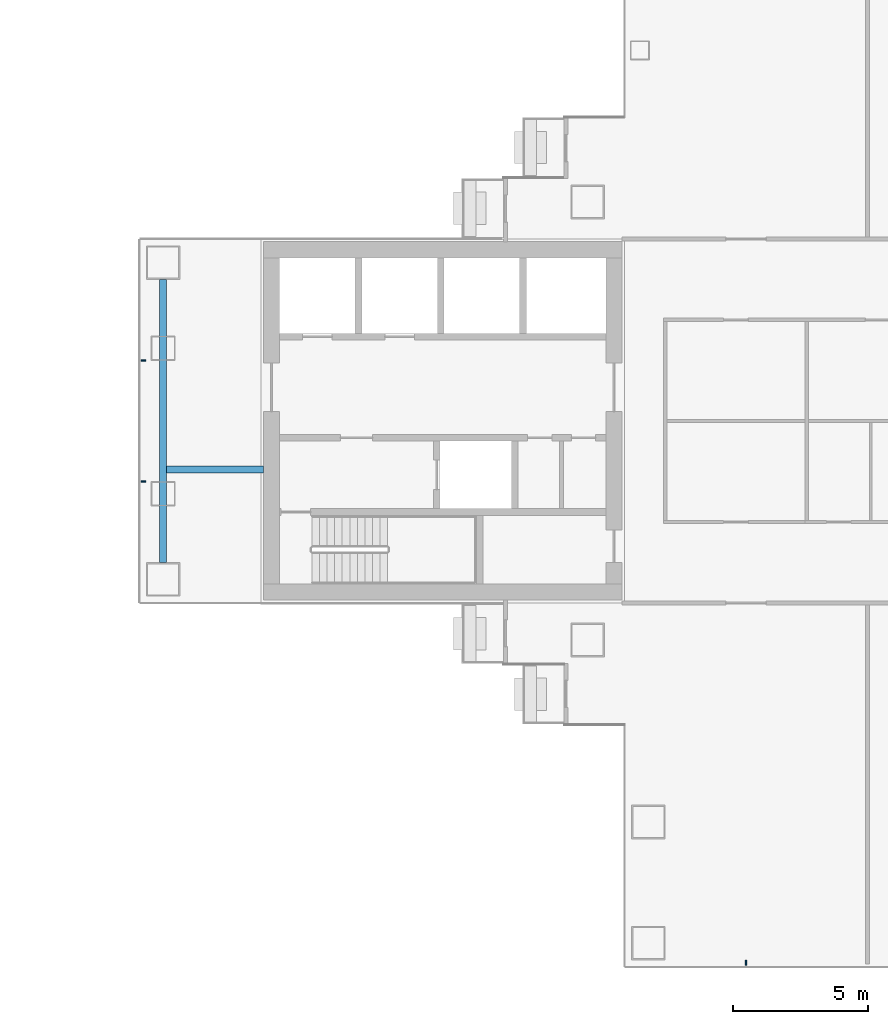
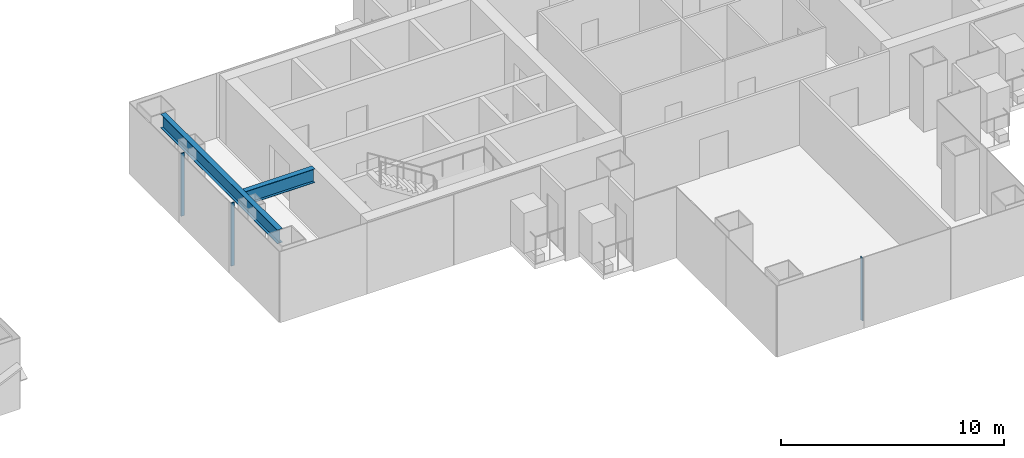
# One storey, part 5 of 19: 3 members, 2 beams, 2 elements without a shape of their own.
"""IFC4 building model written with IfcOpenShell, lengths in metres."""

from ifc_helpers import new_model, si_unit, direction, frame, origin, origin_2d, place, context, subcontext, project, spatial, rectangle, i_section, extrude, material, layer, layer_set, material_profile, profile_set, type_object, element, aggregate, save


model = new_model("IFC4")

# Units and contexts
model_context = context("Model", 3, precision=1e-05, world=origin(), true_north=direction((0.0, 1.0)))
body_context = subcontext(model_context, "Body", "Model", "MODEL_VIEW")
ifc_project = project(units=[si_unit("LENGTHUNIT", "METRE"), si_unit("AREAUNIT", "SQUARE_METRE"), si_unit("VOLUMEUNIT", "CUBIC_METRE"), si_unit("PLANEANGLEUNIT", "RADIAN"), si_unit("MASSUNIT", "GRAM", prefix="KILO")], contexts=[model_context])

# Site, building, storey
site_placement = place(None, origin())
site = spatial("IfcSite", under=ifc_project, at=site_placement, CompositionType="ELEMENT")
building_placement = place(site_placement, origin())
building = spatial("IfcBuilding", under=site, at=building_placement, Name="Shamsa Quay Exchange Towers", CompositionType="ELEMENT")
storey_placement = place(building_placement, frame((0.0, 0.0, 97.5)))
storey = spatial("IfcBuildingStorey", under=building, at=storey_placement, Name="L22", CompositionType="ELEMENT", Elevation=97.5)

# Curtain wall, members
ifc_material_1 = material(Name="Aluminium EN AW-6063 T6, black anodised", Category="aluminium")
ifc_layer = layer(ifc_material_1, 0.280029296875)
ifc_layer_set = layer_set([ifc_layer], Name="CW-1 UNITISED VISION GLASS")
curtain_wall_type = type_object("IfcCurtainWallType", Name="CW-1 UNITISED VISION GLASS", PredefinedType="NOTDEFINED", material=ifc_layer_set)
curtain_wall_1_placement = place(storey_placement, origin())
curtain_wall_1 = element("IfcCurtainWall", 1, at=curtain_wall_1_placement, inside=storey, type_object=curtain_wall_type, Name="CW1 T2-END-V+ L22", PredefinedType="NOTDEFINED")
ifc_material_profile_1 = material_profile(ifc_material_1, rectangle(XDim=0.179931640625, YDim=0.06005859375, at=origin_2d()), Name="MU60x180")
ifc_profile_set_1 = profile_set([ifc_material_profile_1], Name="Aluminium EN AW-6063 T6, black anodised")
member_type = type_object("IfcMemberType", Name="CW1 MULLION 60x180", PredefinedType="MULLION", material=ifc_profile_set_1)
member_1_placement = place(storey_placement, frame((9.14990234375, 2.25, 0.0)))
member_1 = element("IfcMember", 2, at=member_1_placement, type_object=member_type, Name="CW1 mullion", PredefinedType="MULLION", context=body_context, shape_type="SweptSolid", body=[
    extrude(rectangle(XDim=0.179931640625, YDim=0.06005859375, at=origin_2d()), origin(), (0.0, 0.0, 1.0), 3.449951171875),
])
member_2_placement = place(storey_placement, frame((9.14990234375, -2.25, 0.0)))
member_2 = element("IfcMember", 3, at=member_2_placement, type_object=member_type, Name="CW1 mullion", PredefinedType="MULLION", context=body_context, shape_type="SweptSolid", body=[
    extrude(rectangle(XDim=0.179931640625, YDim=0.06005859375, at=origin_2d()), origin(), (0.0, 0.0, 1.0), 3.449951171875),
])
aggregate(curtain_wall_1, [member_1, member_2])

# Curtain wall, member
curtain_wall_2_placement = place(storey_placement, origin())
curtain_wall_2 = element("IfcCurtainWall", 4, at=curtain_wall_2_placement, inside=storey, type_object=curtain_wall_type, Name="CW1 T2-END-U- L22", PredefinedType="NOTDEFINED")
member_3_placement = place(storey_placement, frame((31.5, -20.10009765625, 0.0), z_axis=(0.0, 0.0, 1.0), x_axis=(0.0, 1.0, 0.0)))
member_3 = element("IfcMember", 5, at=member_3_placement, type_object=member_type, Name="CW1 mullion", PredefinedType="MULLION", context=body_context, shape_type="SweptSolid", body=[
    extrude(rectangle(XDim=0.179931640625, YDim=0.06005859375, at=origin_2d()), origin(), (0.0, 0.0, 1.0), 3.449951171875),
])
aggregate(curtain_wall_2, [member_3])

# Beams
ifc_material_2 = material(Name="Steel S355", Category="steel")
ifc_material_profile_2 = material_profile(ifc_material_2, i_section(OverallWidth=0.26611328125, OverallDepth=0.7578125, WebThickness=0.013916015625, FlangeThickness=0.019287109375, at=origin_2d()), Name="W30x108")
ifc_profile_set_2 = profile_set([ifc_material_profile_2], Name="Steel S355")
beam_type = type_object("IfcBeamType", Name="End-zone beam W30x108", PredefinedType="BEAM", material=ifc_profile_set_2)
beam_1_placement = place(storey_placement, frame((9.875, -5.25, 3.171142578125), z_axis=(0.0, 1.0, 0.0), x_axis=(-1.0, 0.0, 0.0)))
element("IfcBeam", 6, at=beam_1_placement, inside=storey, type_object=beam_type, Name="End beam T2 V+ end zone L22", PredefinedType="BEAM", context=body_context, shape_type="SweptSolid", body=[
    extrude(i_section(OverallWidth=0.26611328125, OverallDepth=0.7578125, WebThickness=0.013916015625, FlangeThickness=0.019287109375, at=origin_2d()), origin(), (0.0, 0.0, 1.0), 10.5),
])
beam_2_placement = place(storey_placement, frame((13.60009765625, -1.800048828125, 3.171142578125), z_axis=(-1.0, 0.0, 0.0), x_axis=(0.0, -1.0, 0.0)))
element("IfcBeam", 7, at=beam_2_placement, inside=storey, type_object=beam_type, Name="Spine beam T2 V+ end zone L22", PredefinedType="BEAM", context=body_context, shape_type="SweptSolid", body=[
    extrude(i_section(OverallWidth=0.26611328125, OverallDepth=0.7578125, WebThickness=0.013916015625, FlangeThickness=0.019287109375, at=origin_2d()), origin(), (0.0, 0.0, 1.0), 3.592041015625),
])

save(model, "model.ifc")
